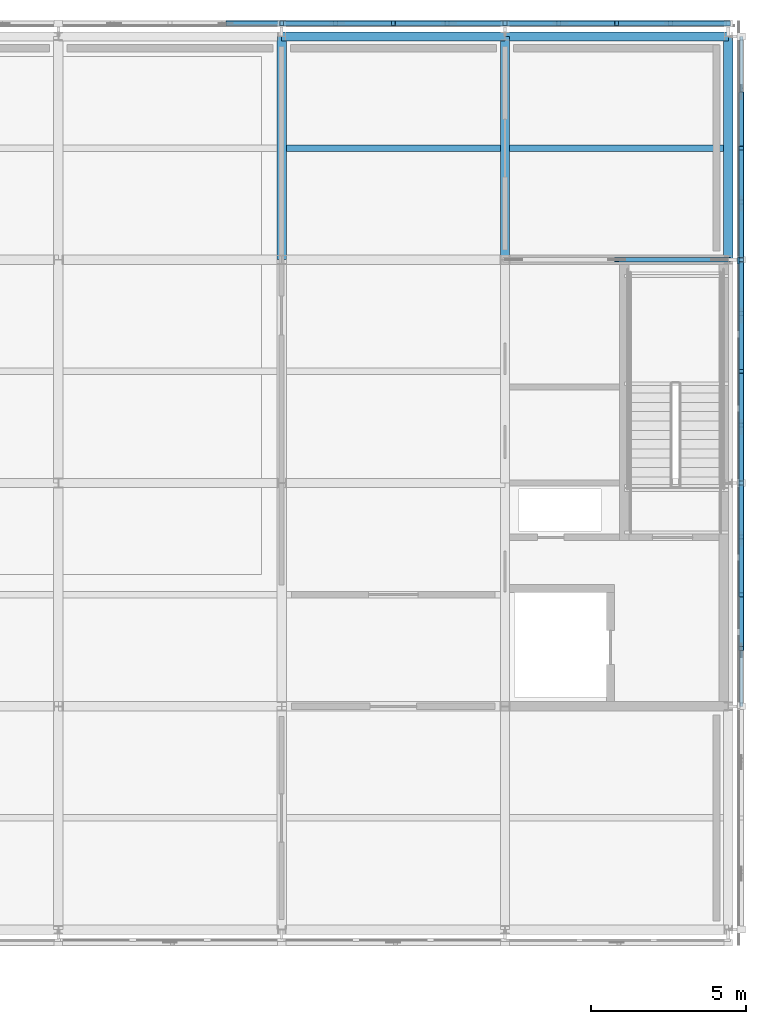
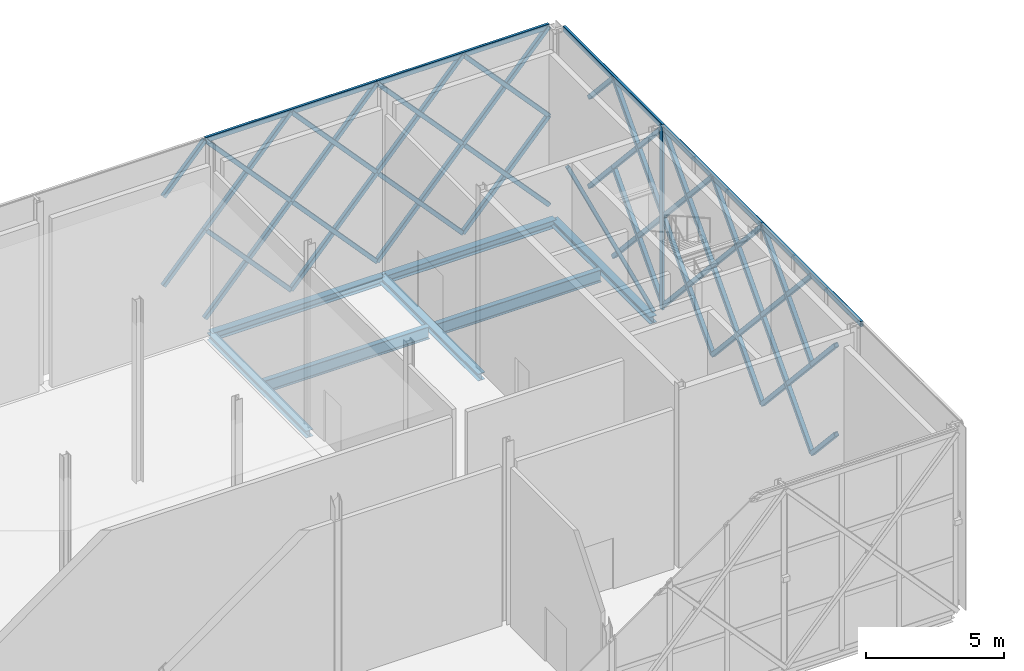
# One storey, part 48 of 76: 61 members, 7 beams, 1 element without a shape of its own.
"""IFC4 building model written with IfcOpenShell, lengths in metres."""

from ifc_helpers import new_model, si_unit, direction, frame, origin, origin_2d, place, context, subcontext, project, spatial, rectangle, hollow_rectangle, i_section, extrude, material, material_profile, profile_set, type_object, element, aggregate, save


model = new_model("IFC4")

# Units and contexts
model_context = context("Model", 3, precision=1e-05, world=origin(), true_north=direction((0.0, 1.0)))
body_context = subcontext(model_context, "Body", "Model", "MODEL_VIEW")
ifc_project = project(units=[si_unit("LENGTHUNIT", "METRE"), si_unit("AREAUNIT", "SQUARE_METRE"), si_unit("VOLUMEUNIT", "CUBIC_METRE"), si_unit("PLANEANGLEUNIT", "RADIAN"), si_unit("MASSUNIT", "GRAM", prefix="KILO")], contexts=[model_context])

# Site, building, storey
site_placement = place(None, origin())
site = spatial("IfcSite", under=ifc_project, at=site_placement, CompositionType="ELEMENT")
building_placement = place(site_placement, origin())
building = spatial("IfcBuilding", under=site, at=building_placement, Name="Zlatovets Crest Museum", CompositionType="ELEMENT")
storey_placement = place(building_placement, frame((0.0, 0.0, 17.10009765625)))
storey = spatial("IfcBuildingStorey", under=building, at=storey_placement, Name="L04", CompositionType="ELEMENT", Elevation=17.10009765625)

# Beams
ifc_material_1 = material(Name="Structural steel S355J2", Category="steel")
ifc_material_profile_1 = material_profile(ifc_material_1, i_section(OverallWidth=0.300048828125, OverallDepth=0.35009765625, WebThickness=0.010009765625, FlangeThickness=0.017578125, FilletRadius=0.027099609375, at=origin_2d()), Name="HEA 360")
ifc_profile_set_1 = profile_set([ifc_material_profile_1], Name="Structural steel S355J2")
beam_type_1 = type_object("IfcBeamType", Name="Beam_B-03", PredefinedType="BEAM", material=ifc_profile_set_1)
for number, where, z_axis, x_axis, name in (
    (1, (93.60009765625, 115.199951171875, -0.4150390625), (1.0, 0.0, 0.0), (0.0, 1.0, 0.0), "V1 L04 Primary Girder B-03"),
    (2, (100.800048828125, 115.199951171875, -0.4150390625), (1.0, 0.0, 0.0), (0.0, 1.0, 0.0), "V1 L04 Primary Girder B-03"),
):
    element("IfcBeam", number, at=place(storey_placement, frame(where, z_axis=z_axis, x_axis=x_axis)), inside=storey, type_object=beam_type_1, Name=name, PredefinedType="BEAM", context=body_context, shape_type="SweptSolid", body=[
        extrude(i_section(OverallWidth=0.300048828125, OverallDepth=0.35009765625, WebThickness=0.010009765625, FlangeThickness=0.017578125, FilletRadius=0.027099609375, at=origin_2d()), origin(), (0.0, 0.0, 1.0), 7.199951171875),
    ])
ifc_material_profile_2 = material_profile(ifc_material_1, i_section(OverallWidth=0.300048828125, OverallDepth=0.31005859375, WebThickness=0.009033203125, FlangeThickness=0.015380859375, FilletRadius=0.027099609375, at=origin_2d()), Name="HEA 320")
ifc_profile_set_2 = profile_set([ifc_material_profile_2], Name="Structural steel S355J2")
beam_type_2 = type_object("IfcBeamType", Name="Beam_B-04", PredefinedType="BEAM", material=ifc_profile_set_2)
for number, where, z_axis, x_axis, name in (
    (3, (93.60009765625, 108.0, -0.39501953125), (0.0, 1.0, 0.0), (-1.0, 0.0, 0.0), "V1 L04 Grid Beam B-04"),
    (4, (100.800048828125, 108.0, -0.39501953125), (0.0, 1.0, 0.0), (-1.0, 0.0, 0.0), "V1 L04 Grid Beam B-04"),
    (5, (108.0, 108.0, -0.39501953125), (0.0, 1.0, 0.0), (-1.0, 0.0, 0.0), "V1 L04 Grid Beam B-04"),
):
    element("IfcBeam", number, at=place(storey_placement, frame(where, z_axis=z_axis, x_axis=x_axis)), inside=storey, type_object=beam_type_2, Name=name, PredefinedType="BEAM", context=body_context, shape_type="SweptSolid", body=[
        extrude(i_section(OverallWidth=0.300048828125, OverallDepth=0.31005859375, WebThickness=0.009033203125, FlangeThickness=0.015380859375, FilletRadius=0.027099609375, at=origin_2d()), origin(), (0.0, 0.0, 1.0), 7.199951171875),
    ])
ifc_material_profile_3 = material_profile(ifc_material_1, i_section(OverallWidth=0.2099609375, OverallDepth=0.550048828125, WebThickness=0.010986328125, FlangeThickness=0.01708984375, FilletRadius=0.02392578125, at=origin_2d()), Name="IPE 550")
ifc_profile_set_3 = profile_set([ifc_material_profile_3], Name="Structural steel S355J2")
beam_type_3 = type_object("IfcBeamType", Name="Beam_J-07", PredefinedType="JOIST", material=ifc_profile_set_3)
beam_1_placement = place(storey_placement, frame((93.75, 111.60009765625, -0.51513671875), z_axis=(1.0, 0.0, 0.0), x_axis=(0.0, 1.0, 0.0)))
element("IfcBeam", 6, at=beam_1_placement, inside=storey, type_object=beam_type_3, Name="V1 L04 Composite Joist J-07", PredefinedType="JOIST", context=body_context, shape_type="SweptSolid", body=[
    extrude(i_section(OverallWidth=0.2099609375, OverallDepth=0.550048828125, WebThickness=0.010986328125, FlangeThickness=0.01708984375, FilletRadius=0.02392578125, at=origin_2d()), origin(), (0.0, 0.0, 1.0), 6.89990234375),
])
beam_2_placement = place(storey_placement, frame((100.949951171875, 111.60009765625, -0.51513671875), z_axis=(1.0, 0.0, 0.0), x_axis=(0.0, 1.0, 0.0)))
element("IfcBeam", 7, at=beam_2_placement, inside=storey, type_object=beam_type_3, Name="V1 L04 Composite Joist J-07", PredefinedType="JOIST", context=body_context, shape_type="SweptSolid", body=[
    extrude(i_section(OverallWidth=0.2099609375, OverallDepth=0.550048828125, WebThickness=0.010986328125, FlangeThickness=0.01708984375, FilletRadius=0.02392578125, at=origin_2d()), origin(), (0.0, 0.0, 1.0), 6.900146484375),
])

# Curtain wall, member
ifc_material_2 = material(Name="Bronze-anodised aluminium and low-E triple glass", Category="aluminium")
curtain_wall_type = type_object("IfcCurtainWallType", Name="CW_CW-V1-L04-M1", PredefinedType="NOTDEFINED", material=ifc_material_2)
curtain_wall_placement = place(storey_placement, origin())
curtain_wall = element("IfcCurtainWall", 8, at=curtain_wall_placement, inside=storey, type_object=curtain_wall_type, Name="V1 L04 Expressed Core Glazed Facade", PredefinedType="NOTDEFINED")
ifc_material_3 = material(Name="Bronze-anodised aluminium EN AW-6060", Category="aluminium")
ifc_material_profile_4 = material_profile(ifc_material_3, rectangle(XDim=0.090087890625, YDim=0.199951171875, at=origin_2d()), Name="ALU 90x200")
ifc_profile_set_4 = profile_set([ifc_material_profile_4], Name="Bronze-anodised aluminium EN AW-6060")
member_type_1 = type_object("IfcMemberType", Name="CWMull_M2", PredefinedType="MULLION", material=ifc_profile_set_4)
member_1_placement = place(storey_placement, frame((108.340087890625, 107.969970703125, 0.0), z_axis=(0.0, 0.0, 1.0), x_axis=(-1.0, 0.0, 0.0)))
member_1 = element("IfcMember", 9, at=member_1_placement, type_object=member_type_1, Name="CW-V1-L04-M1 mullion 4", PredefinedType="MULLION", context=body_context, shape_type="SweptSolid", body=[
    extrude(rectangle(XDim=0.090087890625, YDim=0.199951171875, at=origin_2d()), origin(), (0.0, 0.0, 1.0), 8.099853515625),
])
aggregate(curtain_wall, [member_1])

# Members
ifc_material_4 = material(Name="Weathering bronze-steel S355J2W", Category="steel")
ifc_material_profile_5 = material_profile(ifc_material_4, hollow_rectangle(XDim=0.179931640625, YDim=0.179931640625, WallThickness=0.010009765625, InnerFilletRadius=0.010009765625, OuterFilletRadius=0.02001953125, at=origin_2d()), Name="SHS 180x180x10.0")
ifc_profile_set_5 = profile_set([ifc_material_profile_5], Name="Weathering bronze-steel S355J2W")
member_type_2 = type_object("IfcMemberType", Name="Lattice_XL-01", PredefinedType="BRACE", material=ifc_profile_set_5)
member_2_placement = place(storey_placement, frame((108.419921875, 95.464111328125, 2.004638671875), z_axis=(0.0, 0.673568214247, -0.739125064354), x_axis=(-1.0, 0.0, 0.0)))
element("IfcMember", 10, at=member_2_placement, inside=storey, type_object=member_type_2, Name="Split Crossing Bronze Lattice Diagonal Lower", PredefinedType="BRACE", context=body_context, shape_type="SweptSolid", body=[
    extrude(hollow_rectangle(XDim=0.179931640625, YDim=0.179931640625, WallThickness=0.010009765625, InnerFilletRadius=0.010009765625, OuterFilletRadius=0.02001953125, at=origin_2d()), origin(), (0.0, 0.0, 1.0), 2.5771484375),
])
member_3_placement = place(storey_placement, frame((108.419921875, 97.199951171875, 0.099853515625), z_axis=(0.0, 0.673618118362, 0.739079583411), x_axis=(-1.0, 0.0, 0.0)))
element("IfcMember", 11, at=member_3_placement, inside=storey, type_object=member_type_2, Name="Continuous Bronze Lattice Diagonal", PredefinedType="BRACE", context=body_context, shape_type="SweptSolid", body=[
    extrude(hollow_rectangle(XDim=0.179931640625, YDim=0.179931640625, WallThickness=0.010009765625, InnerFilletRadius=0.010009765625, OuterFilletRadius=0.02001953125, at=origin_2d()), origin(), (0.0, 0.0, 1.0), 5.344482421875),
])
for number, where, z_axis, x_axis, name in (
    (12, (108.419921875, 97.199951171875, 4.0498046875), (0.0, 0.673619963761, -0.739077901457), (-1.0, 0.0, 0.0), "Split Crossing Bronze Lattice Diagonal Upper"),
    (13, (108.419921875, 99.06396484375, 2.004638671875), (0.0, 0.673619963761, -0.739077901457), (-1.0, 0.0, 0.0), "Split Crossing Bronze Lattice Diagonal Lower"),
    (14, (108.419921875, 95.464111328125, 5.95458984375), (0.0, 0.673568214247, -0.739125064354), (-1.0, 0.0, 0.0), "Split Crossing Bronze Lattice Diagonal Lower"),
):
    element("IfcMember", number, at=place(storey_placement, frame(where, z_axis=z_axis, x_axis=x_axis)), inside=storey, type_object=member_type_2, Name=name, PredefinedType="BRACE", context=body_context, shape_type="SweptSolid", body=[
        extrude(hollow_rectangle(XDim=0.179931640625, YDim=0.179931640625, WallThickness=0.010009765625, InnerFilletRadius=0.010009765625, OuterFilletRadius=0.02001953125, at=origin_2d()), origin(), (0.0, 0.0, 1.0), 2.5771484375),
    ])
member_4_placement = place(storey_placement, frame((108.419921875, 97.199951171875, 4.0498046875), z_axis=(0.0, 0.673595375981, 0.739100310822), x_axis=(-1.0, 0.0, 0.0)))
element("IfcMember", 15, at=member_4_placement, inside=storey, type_object=member_type_2, Name="Continuous Bronze Lattice Diagonal", PredefinedType="BRACE", context=body_context, shape_type="SweptSolid", body=[
    extrude(hollow_rectangle(XDim=0.179931640625, YDim=0.179931640625, WallThickness=0.010009765625, InnerFilletRadius=0.010009765625, OuterFilletRadius=0.02001953125, at=origin_2d()), origin(), (0.0, 0.0, 1.0), 5.344482421875),
])
for number, where, z_axis, x_axis, name in (
    (16, (108.419921875, 97.199951171875, 8.0), (0.0, 0.673619963761, -0.739077901457), (-1.0, 0.0, 0.0), "Split Crossing Bronze Lattice Diagonal Upper"),
    (17, (108.419921875, 99.06396484375, 5.95458984375), (0.0, 0.673619963761, -0.739077901457), (-1.0, 0.0, 0.0), "Split Crossing Bronze Lattice Diagonal Lower"),
):
    element("IfcMember", number, at=place(storey_placement, frame(where, z_axis=z_axis, x_axis=x_axis)), inside=storey, type_object=member_type_2, Name=name, PredefinedType="BRACE", context=body_context, shape_type="SweptSolid", body=[
        extrude(hollow_rectangle(XDim=0.179931640625, YDim=0.179931640625, WallThickness=0.010009765625, InnerFilletRadius=0.010009765625, OuterFilletRadius=0.02001953125, at=origin_2d()), origin(), (0.0, 0.0, 1.0), 2.5771484375),
    ])
member_5_placement = place(storey_placement, frame((108.419921875, 100.800048828125, 0.099853515625), z_axis=(0.0, 0.673593164257, 0.739102326519), x_axis=(-1.0, 0.0, 0.0)))
element("IfcMember", 18, at=member_5_placement, inside=storey, type_object=member_type_2, Name="Continuous Bronze Lattice Diagonal", PredefinedType="BRACE", context=body_context, shape_type="SweptSolid", body=[
    extrude(hollow_rectangle(XDim=0.179931640625, YDim=0.179931640625, WallThickness=0.010009765625, InnerFilletRadius=0.010009765625, OuterFilletRadius=0.02001953125, at=origin_2d()), origin(), (0.0, 0.0, 1.0), 5.34423828125),
])
for number, where, z_axis, x_axis, name in (
    (19, (108.419921875, 100.800048828125, 4.0498046875), (0.0, 0.673568214247, -0.739125064354), (-1.0, 0.0, 0.0), "Split Crossing Bronze Lattice Diagonal Upper"),
    (20, (108.419921875, 102.6640625, 2.004638671875), (0.0, 0.673568214247, -0.739125064354), (-1.0, 0.0, 0.0), "Split Crossing Bronze Lattice Diagonal Lower"),
):
    element("IfcMember", number, at=place(storey_placement, frame(where, z_axis=z_axis, x_axis=x_axis)), inside=storey, type_object=member_type_2, Name=name, PredefinedType="BRACE", context=body_context, shape_type="SweptSolid", body=[
        extrude(hollow_rectangle(XDim=0.179931640625, YDim=0.179931640625, WallThickness=0.010009765625, InnerFilletRadius=0.010009765625, OuterFilletRadius=0.02001953125, at=origin_2d()), origin(), (0.0, 0.0, 1.0), 2.5771484375),
    ])
member_6_placement = place(storey_placement, frame((108.419921875, 104.39990234375, 0.099853515625), z_axis=(0.0, 0.673618118362, 0.739079583411), x_axis=(-1.0, 0.0, 0.0)))
element("IfcMember", 21, at=member_6_placement, inside=storey, type_object=member_type_2, Name="Continuous Bronze Lattice Diagonal", PredefinedType="BRACE", context=body_context, shape_type="SweptSolid", body=[
    extrude(hollow_rectangle(XDim=0.179931640625, YDim=0.179931640625, WallThickness=0.010009765625, InnerFilletRadius=0.010009765625, OuterFilletRadius=0.02001953125, at=origin_2d()), origin(), (0.0, 0.0, 1.0), 5.344482421875),
])
for number, where, z_axis, x_axis, name in (
    (22, (108.419921875, 104.39990234375, 4.0498046875), (0.0, 0.673619963761, -0.739077901457), (-1.0, 0.0, 0.0), "Split Crossing Bronze Lattice Diagonal Upper"),
    (23, (108.419921875, 106.263916015625, 2.004638671875), (0.0, 0.673619963761, -0.739077901457), (-1.0, 0.0, 0.0), "Split Crossing Bronze Lattice Diagonal Lower"),
):
    element("IfcMember", number, at=place(storey_placement, frame(where, z_axis=z_axis, x_axis=x_axis)), inside=storey, type_object=member_type_2, Name=name, PredefinedType="BRACE", context=body_context, shape_type="SweptSolid", body=[
        extrude(hollow_rectangle(XDim=0.179931640625, YDim=0.179931640625, WallThickness=0.010009765625, InnerFilletRadius=0.010009765625, OuterFilletRadius=0.02001953125, at=origin_2d()), origin(), (0.0, 0.0, 1.0), 2.5771484375),
    ])
member_7_placement = place(storey_placement, frame((108.419921875, 100.800048828125, 4.0498046875), z_axis=(0.0, 0.67357042132, 0.739123053032), x_axis=(-1.0, 0.0, 0.0)))
element("IfcMember", 24, at=member_7_placement, inside=storey, type_object=member_type_2, Name="Continuous Bronze Lattice Diagonal", PredefinedType="BRACE", context=body_context, shape_type="SweptSolid", body=[
    extrude(hollow_rectangle(XDim=0.179931640625, YDim=0.179931640625, WallThickness=0.010009765625, InnerFilletRadius=0.010009765625, OuterFilletRadius=0.02001953125, at=origin_2d()), origin(), (0.0, 0.0, 1.0), 5.344482421875),
])
for number, where, z_axis, x_axis, name in (
    (25, (108.419921875, 100.800048828125, 8.0), (0.0, 0.673568214247, -0.739125064354), (-1.0, 0.0, 0.0), "Split Crossing Bronze Lattice Diagonal Upper"),
    (26, (108.419921875, 102.6640625, 5.95458984375), (0.0, 0.673568214247, -0.739125064354), (-1.0, 0.0, 0.0), "Split Crossing Bronze Lattice Diagonal Lower"),
):
    element("IfcMember", number, at=place(storey_placement, frame(where, z_axis=z_axis, x_axis=x_axis)), inside=storey, type_object=member_type_2, Name=name, PredefinedType="BRACE", context=body_context, shape_type="SweptSolid", body=[
        extrude(hollow_rectangle(XDim=0.179931640625, YDim=0.179931640625, WallThickness=0.010009765625, InnerFilletRadius=0.010009765625, OuterFilletRadius=0.02001953125, at=origin_2d()), origin(), (0.0, 0.0, 1.0), 2.5771484375),
    ])
member_8_placement = place(storey_placement, frame((108.419921875, 104.39990234375, 4.0498046875), z_axis=(0.0, 0.673595375981, 0.739100310822), x_axis=(-1.0, 0.0, 0.0)))
element("IfcMember", 27, at=member_8_placement, inside=storey, type_object=member_type_2, Name="Continuous Bronze Lattice Diagonal", PredefinedType="BRACE", context=body_context, shape_type="SweptSolid", body=[
    extrude(hollow_rectangle(XDim=0.179931640625, YDim=0.179931640625, WallThickness=0.010009765625, InnerFilletRadius=0.010009765625, OuterFilletRadius=0.02001953125, at=origin_2d()), origin(), (0.0, 0.0, 1.0), 5.344482421875),
])
for number, where, z_axis, x_axis, name in (
    (28, (108.419921875, 104.39990234375, 8.0), (0.0, 0.673619963761, -0.739077901457), (-1.0, 0.0, 0.0), "Split Crossing Bronze Lattice Diagonal Upper"),
    (29, (108.419921875, 106.263916015625, 5.95458984375), (0.0, 0.673619963761, -0.739077901457), (-1.0, 0.0, 0.0), "Split Crossing Bronze Lattice Diagonal Lower"),
):
    element("IfcMember", number, at=place(storey_placement, frame(where, z_axis=z_axis, x_axis=x_axis)), inside=storey, type_object=member_type_2, Name=name, PredefinedType="BRACE", context=body_context, shape_type="SweptSolid", body=[
        extrude(hollow_rectangle(XDim=0.179931640625, YDim=0.179931640625, WallThickness=0.010009765625, InnerFilletRadius=0.010009765625, OuterFilletRadius=0.02001953125, at=origin_2d()), origin(), (0.0, 0.0, 1.0), 2.5771484375),
    ])
member_9_placement = place(storey_placement, frame((108.419921875, 108.0, 0.099853515625), z_axis=(0.0, 0.673618118362, 0.739079583411), x_axis=(-1.0, 0.0, 0.0)))
element("IfcMember", 30, at=member_9_placement, inside=storey, type_object=member_type_2, Name="Continuous Bronze Lattice Diagonal", PredefinedType="BRACE", context=body_context, shape_type="SweptSolid", body=[
    extrude(hollow_rectangle(XDim=0.179931640625, YDim=0.179931640625, WallThickness=0.010009765625, InnerFilletRadius=0.010009765625, OuterFilletRadius=0.02001953125, at=origin_2d()), origin(), (0.0, 0.0, 1.0), 5.344482421875),
])
for number, where, z_axis, x_axis, name in (
    (31, (108.419921875, 108.0, 4.0498046875), (0.0, 0.673619963761, -0.739077901457), (-1.0, 0.0, 0.0), "Split Crossing Bronze Lattice Diagonal Upper"),
    (32, (108.419921875, 109.864013671875, 2.004638671875), (0.0, 0.673619963761, -0.739077901457), (-1.0, 0.0, 0.0), "Split Crossing Bronze Lattice Diagonal Lower"),
    (33, (108.419921875, 111.60009765625, 4.0498046875), (0.0, 0.673568214247, -0.739125064354), (-1.0, 0.0, 0.0), "Split Crossing Bronze Lattice Diagonal Upper"),
):
    element("IfcMember", number, at=place(storey_placement, frame(where, z_axis=z_axis, x_axis=x_axis)), inside=storey, type_object=member_type_2, Name=name, PredefinedType="BRACE", context=body_context, shape_type="SweptSolid", body=[
        extrude(hollow_rectangle(XDim=0.179931640625, YDim=0.179931640625, WallThickness=0.010009765625, InnerFilletRadius=0.010009765625, OuterFilletRadius=0.02001953125, at=origin_2d()), origin(), (0.0, 0.0, 1.0), 2.5771484375),
    ])
member_10_placement = place(storey_placement, frame((108.419921875, 108.0, 4.0498046875), z_axis=(0.0, 0.673595375981, 0.739100310822), x_axis=(-1.0, 0.0, 0.0)))
element("IfcMember", 34, at=member_10_placement, inside=storey, type_object=member_type_2, Name="Continuous Bronze Lattice Diagonal", PredefinedType="BRACE", context=body_context, shape_type="SweptSolid", body=[
    extrude(hollow_rectangle(XDim=0.179931640625, YDim=0.179931640625, WallThickness=0.010009765625, InnerFilletRadius=0.010009765625, OuterFilletRadius=0.02001953125, at=origin_2d()), origin(), (0.0, 0.0, 1.0), 5.344482421875),
])
for number, where, z_axis, x_axis, name in (
    (35, (108.419921875, 108.0, 8.0), (0.0, 0.673619963761, -0.739077901457), (-1.0, 0.0, 0.0), "Split Crossing Bronze Lattice Diagonal Upper"),
    (36, (108.419921875, 109.864013671875, 5.95458984375), (0.0, 0.673619963761, -0.739077901457), (-1.0, 0.0, 0.0), "Split Crossing Bronze Lattice Diagonal Lower"),
    (37, (108.419921875, 111.60009765625, 8.0), (0.0, 0.673568214247, -0.739125064354), (-1.0, 0.0, 0.0), "Split Crossing Bronze Lattice Diagonal Upper"),
):
    element("IfcMember", number, at=place(storey_placement, frame(where, z_axis=z_axis, x_axis=x_axis)), inside=storey, type_object=member_type_2, Name=name, PredefinedType="BRACE", context=body_context, shape_type="SweptSolid", body=[
        extrude(hollow_rectangle(XDim=0.179931640625, YDim=0.179931640625, WallThickness=0.010009765625, InnerFilletRadius=0.010009765625, OuterFilletRadius=0.02001953125, at=origin_2d()), origin(), (0.0, 0.0, 1.0), 2.5771484375),
    ])
member_11_placement = place(storey_placement, frame((108.0, 115.6201171875, 0.099853515625), z_axis=(-0.673618118362, 0.0, 0.739079583411), x_axis=(0.0, -1.0, 0.0)))
element("IfcMember", 38, at=member_11_placement, inside=storey, type_object=member_type_2, Name="Continuous Bronze Lattice Diagonal", PredefinedType="BRACE", context=body_context, shape_type="SweptSolid", body=[
    extrude(hollow_rectangle(XDim=0.179931640625, YDim=0.179931640625, WallThickness=0.010009765625, InnerFilletRadius=0.010009765625, OuterFilletRadius=0.02001953125, at=origin_2d()), origin(), (0.0, 0.0, 1.0), 5.344482421875),
])
for number, where, z_axis, x_axis, name in (
    (39, (108.0, 115.6201171875, 4.0498046875), (-0.673619963761, 0.0, -0.739077901457), (0.0, -1.0, 0.0), "Split Crossing Bronze Lattice Diagonal Upper"),
    (40, (106.135986328125, 115.6201171875, 2.004638671875), (-0.673619963761, 0.0, -0.739077901457), (0.0, -1.0, 0.0), "Split Crossing Bronze Lattice Diagonal Lower"),
):
    element("IfcMember", number, at=place(storey_placement, frame(where, z_axis=z_axis, x_axis=x_axis)), inside=storey, type_object=member_type_2, Name=name, PredefinedType="BRACE", context=body_context, shape_type="SweptSolid", body=[
        extrude(hollow_rectangle(XDim=0.179931640625, YDim=0.179931640625, WallThickness=0.010009765625, InnerFilletRadius=0.010009765625, OuterFilletRadius=0.02001953125, at=origin_2d()), origin(), (0.0, 0.0, 1.0), 2.5771484375),
    ])
member_12_placement = place(storey_placement, frame((104.39990234375, 115.6201171875, 0.099853515625), z_axis=(-0.673593164257, 0.0, 0.739102326519), x_axis=(0.0, -1.0, 0.0)))
element("IfcMember", 41, at=member_12_placement, inside=storey, type_object=member_type_2, Name="Continuous Bronze Lattice Diagonal", PredefinedType="BRACE", context=body_context, shape_type="SweptSolid", body=[
    extrude(hollow_rectangle(XDim=0.179931640625, YDim=0.179931640625, WallThickness=0.010009765625, InnerFilletRadius=0.010009765625, OuterFilletRadius=0.02001953125, at=origin_2d()), origin(), (0.0, 0.0, 1.0), 5.34423828125),
])
for number, where, z_axis, x_axis, name in (
    (42, (104.39990234375, 115.6201171875, 4.0498046875), (-0.673568214247, 0.0, -0.739125064354), (0.0, -1.0, 0.0), "Split Crossing Bronze Lattice Diagonal Upper"),
    (43, (102.535888671875, 115.6201171875, 2.004638671875), (-0.673568214247, 0.0, -0.739125064354), (0.0, -1.0, 0.0), "Split Crossing Bronze Lattice Diagonal Lower"),
):
    element("IfcMember", number, at=place(storey_placement, frame(where, z_axis=z_axis, x_axis=x_axis)), inside=storey, type_object=member_type_2, Name=name, PredefinedType="BRACE", context=body_context, shape_type="SweptSolid", body=[
        extrude(hollow_rectangle(XDim=0.179931640625, YDim=0.179931640625, WallThickness=0.010009765625, InnerFilletRadius=0.010009765625, OuterFilletRadius=0.02001953125, at=origin_2d()), origin(), (0.0, 0.0, 1.0), 2.5771484375),
    ])
member_13_placement = place(storey_placement, frame((108.0, 115.6201171875, 4.0498046875), z_axis=(-0.673595375981, 0.0, 0.739100310822), x_axis=(0.0, -1.0, 0.0)))
element("IfcMember", 44, at=member_13_placement, inside=storey, type_object=member_type_2, Name="Continuous Bronze Lattice Diagonal", PredefinedType="BRACE", context=body_context, shape_type="SweptSolid", body=[
    extrude(hollow_rectangle(XDim=0.179931640625, YDim=0.179931640625, WallThickness=0.010009765625, InnerFilletRadius=0.010009765625, OuterFilletRadius=0.02001953125, at=origin_2d()), origin(), (0.0, 0.0, 1.0), 5.344482421875),
])
for number, where, z_axis, x_axis, name in (
    (45, (108.0, 115.6201171875, 8.0), (-0.673619963761, 0.0, -0.739077901457), (0.0, -1.0, 0.0), "Split Crossing Bronze Lattice Diagonal Upper"),
    (46, (106.135986328125, 115.6201171875, 5.95458984375), (-0.673619963761, 0.0, -0.739077901457), (0.0, -1.0, 0.0), "Split Crossing Bronze Lattice Diagonal Lower"),
):
    element("IfcMember", number, at=place(storey_placement, frame(where, z_axis=z_axis, x_axis=x_axis)), inside=storey, type_object=member_type_2, Name=name, PredefinedType="BRACE", context=body_context, shape_type="SweptSolid", body=[
        extrude(hollow_rectangle(XDim=0.179931640625, YDim=0.179931640625, WallThickness=0.010009765625, InnerFilletRadius=0.010009765625, OuterFilletRadius=0.02001953125, at=origin_2d()), origin(), (0.0, 0.0, 1.0), 2.5771484375),
    ])
member_14_placement = place(storey_placement, frame((104.39990234375, 115.6201171875, 4.0498046875), z_axis=(-0.67357042132, 0.0, 0.739123053032), x_axis=(0.0, -1.0, 0.0)))
element("IfcMember", 47, at=member_14_placement, inside=storey, type_object=member_type_2, Name="Continuous Bronze Lattice Diagonal", PredefinedType="BRACE", context=body_context, shape_type="SweptSolid", body=[
    extrude(hollow_rectangle(XDim=0.179931640625, YDim=0.179931640625, WallThickness=0.010009765625, InnerFilletRadius=0.010009765625, OuterFilletRadius=0.02001953125, at=origin_2d()), origin(), (0.0, 0.0, 1.0), 5.344482421875),
])
for number, where, z_axis, x_axis, name in (
    (48, (104.39990234375, 115.6201171875, 8.0), (-0.673568214247, 0.0, -0.739125064354), (0.0, -1.0, 0.0), "Split Crossing Bronze Lattice Diagonal Upper"),
    (49, (102.535888671875, 115.6201171875, 5.95458984375), (-0.673568214247, 0.0, -0.739125064354), (0.0, -1.0, 0.0), "Split Crossing Bronze Lattice Diagonal Lower"),
):
    element("IfcMember", number, at=place(storey_placement, frame(where, z_axis=z_axis, x_axis=x_axis)), inside=storey, type_object=member_type_2, Name=name, PredefinedType="BRACE", context=body_context, shape_type="SweptSolid", body=[
        extrude(hollow_rectangle(XDim=0.179931640625, YDim=0.179931640625, WallThickness=0.010009765625, InnerFilletRadius=0.010009765625, OuterFilletRadius=0.02001953125, at=origin_2d()), origin(), (0.0, 0.0, 1.0), 2.5771484375),
    ])
member_15_placement = place(storey_placement, frame((100.800048828125, 115.6201171875, 0.099853515625), z_axis=(-0.673618118362, 0.0, 0.739079583411), x_axis=(0.0, -1.0, 0.0)))
element("IfcMember", 50, at=member_15_placement, inside=storey, type_object=member_type_2, Name="Continuous Bronze Lattice Diagonal", PredefinedType="BRACE", context=body_context, shape_type="SweptSolid", body=[
    extrude(hollow_rectangle(XDim=0.179931640625, YDim=0.179931640625, WallThickness=0.010009765625, InnerFilletRadius=0.010009765625, OuterFilletRadius=0.02001953125, at=origin_2d()), origin(), (0.0, 0.0, 1.0), 5.344482421875),
])
for number, where, z_axis, x_axis, name in (
    (51, (100.800048828125, 115.6201171875, 4.0498046875), (-0.673619963761, 0.0, -0.739077901457), (0.0, -1.0, 0.0), "Split Crossing Bronze Lattice Diagonal Upper"),
    (52, (98.93603515625, 115.6201171875, 2.004638671875), (-0.673619963761, 0.0, -0.739077901457), (0.0, -1.0, 0.0), "Split Crossing Bronze Lattice Diagonal Lower"),
):
    element("IfcMember", number, at=place(storey_placement, frame(where, z_axis=z_axis, x_axis=x_axis)), inside=storey, type_object=member_type_2, Name=name, PredefinedType="BRACE", context=body_context, shape_type="SweptSolid", body=[
        extrude(hollow_rectangle(XDim=0.179931640625, YDim=0.179931640625, WallThickness=0.010009765625, InnerFilletRadius=0.010009765625, OuterFilletRadius=0.02001953125, at=origin_2d()), origin(), (0.0, 0.0, 1.0), 2.5771484375),
    ])
member_16_placement = place(storey_placement, frame((97.199951171875, 115.6201171875, 0.099853515625), z_axis=(-0.673593164257, 0.0, 0.739102326519), x_axis=(0.0, -1.0, 0.0)))
element("IfcMember", 53, at=member_16_placement, inside=storey, type_object=member_type_2, Name="Continuous Bronze Lattice Diagonal", PredefinedType="BRACE", context=body_context, shape_type="SweptSolid", body=[
    extrude(hollow_rectangle(XDim=0.179931640625, YDim=0.179931640625, WallThickness=0.010009765625, InnerFilletRadius=0.010009765625, OuterFilletRadius=0.02001953125, at=origin_2d()), origin(), (0.0, 0.0, 1.0), 5.34423828125),
])
for number, where, z_axis, x_axis, name in (
    (54, (97.199951171875, 115.6201171875, 4.0498046875), (-0.673568214247, 0.0, -0.739125064354), (0.0, -1.0, 0.0), "Split Crossing Bronze Lattice Diagonal Upper"),
    (55, (95.3359375, 115.6201171875, 2.004638671875), (-0.673568214247, 0.0, -0.739125064354), (0.0, -1.0, 0.0), "Split Crossing Bronze Lattice Diagonal Lower"),
):
    element("IfcMember", number, at=place(storey_placement, frame(where, z_axis=z_axis, x_axis=x_axis)), inside=storey, type_object=member_type_2, Name=name, PredefinedType="BRACE", context=body_context, shape_type="SweptSolid", body=[
        extrude(hollow_rectangle(XDim=0.179931640625, YDim=0.179931640625, WallThickness=0.010009765625, InnerFilletRadius=0.010009765625, OuterFilletRadius=0.02001953125, at=origin_2d()), origin(), (0.0, 0.0, 1.0), 2.5771484375),
    ])
member_17_placement = place(storey_placement, frame((100.800048828125, 115.6201171875, 4.0498046875), z_axis=(-0.673595375981, 0.0, 0.739100310822), x_axis=(0.0, -1.0, 0.0)))
element("IfcMember", 56, at=member_17_placement, inside=storey, type_object=member_type_2, Name="Continuous Bronze Lattice Diagonal", PredefinedType="BRACE", context=body_context, shape_type="SweptSolid", body=[
    extrude(hollow_rectangle(XDim=0.179931640625, YDim=0.179931640625, WallThickness=0.010009765625, InnerFilletRadius=0.010009765625, OuterFilletRadius=0.02001953125, at=origin_2d()), origin(), (0.0, 0.0, 1.0), 5.344482421875),
])
for number, where, z_axis, x_axis, name in (
    (57, (100.800048828125, 115.6201171875, 8.0), (-0.673619963761, 0.0, -0.739077901457), (0.0, -1.0, 0.0), "Split Crossing Bronze Lattice Diagonal Upper"),
    (58, (98.93603515625, 115.6201171875, 5.95458984375), (-0.673619963761, 0.0, -0.739077901457), (0.0, -1.0, 0.0), "Split Crossing Bronze Lattice Diagonal Lower"),
):
    element("IfcMember", number, at=place(storey_placement, frame(where, z_axis=z_axis, x_axis=x_axis)), inside=storey, type_object=member_type_2, Name=name, PredefinedType="BRACE", context=body_context, shape_type="SweptSolid", body=[
        extrude(hollow_rectangle(XDim=0.179931640625, YDim=0.179931640625, WallThickness=0.010009765625, InnerFilletRadius=0.010009765625, OuterFilletRadius=0.02001953125, at=origin_2d()), origin(), (0.0, 0.0, 1.0), 2.5771484375),
    ])
member_18_placement = place(storey_placement, frame((97.199951171875, 115.6201171875, 4.0498046875), z_axis=(-0.67357042132, 0.0, 0.739123053032), x_axis=(0.0, -1.0, 0.0)))
element("IfcMember", 59, at=member_18_placement, inside=storey, type_object=member_type_2, Name="Continuous Bronze Lattice Diagonal", PredefinedType="BRACE", context=body_context, shape_type="SweptSolid", body=[
    extrude(hollow_rectangle(XDim=0.179931640625, YDim=0.179931640625, WallThickness=0.010009765625, InnerFilletRadius=0.010009765625, OuterFilletRadius=0.02001953125, at=origin_2d()), origin(), (0.0, 0.0, 1.0), 5.344482421875),
])
for number, where, z_axis, x_axis, name in (
    (60, (97.199951171875, 115.6201171875, 8.0), (-0.673568214247, 0.0, -0.739125064354), (0.0, -1.0, 0.0), "Split Crossing Bronze Lattice Diagonal Upper"),
    (61, (95.3359375, 115.6201171875, 5.95458984375), (-0.673568214247, 0.0, -0.739125064354), (0.0, -1.0, 0.0), "Split Crossing Bronze Lattice Diagonal Lower"),
    (62, (93.60009765625, 115.6201171875, 4.0498046875), (-0.673619963761, 0.0, -0.739077901457), (0.0, -1.0, 0.0), "Split Crossing Bronze Lattice Diagonal Upper"),
    (63, (93.60009765625, 115.6201171875, 8.0), (-0.673619963761, 0.0, -0.739077901457), (0.0, -1.0, 0.0), "Split Crossing Bronze Lattice Diagonal Upper"),
):
    element("IfcMember", number, at=place(storey_placement, frame(where, z_axis=z_axis, x_axis=x_axis)), inside=storey, type_object=member_type_2, Name=name, PredefinedType="BRACE", context=body_context, shape_type="SweptSolid", body=[
        extrude(hollow_rectangle(XDim=0.179931640625, YDim=0.179931640625, WallThickness=0.010009765625, InnerFilletRadius=0.010009765625, OuterFilletRadius=0.02001953125, at=origin_2d()), origin(), (0.0, 0.0, 1.0), 2.5771484375),
    ])
ifc_material_profile_6 = material_profile(ifc_material_4, hollow_rectangle(XDim=0.1201171875, YDim=0.239990234375, WallThickness=0.010009765625, InnerFilletRadius=0.010009765625, OuterFilletRadius=0.02001953125, at=origin_2d()), Name="RHS 120x240x10.0")
ifc_profile_set_6 = profile_set([ifc_material_profile_6], Name="Weathering bronze-steel S355J2W")
member_type_3 = type_object("IfcMemberType", Name="Lattice_XL-04", PredefinedType="CHORD", material=ifc_profile_set_6)
for number, where, z_axis, x_axis, name in (
    (64, (108.419921875, 93.60009765625, 8.0), (0.0, 1.0, 0.0), (-1.0, 0.0, 0.0), "Art Nouveau Woven Cage Collector Ring Chord"),
    (65, (108.419921875, 100.800048828125, 8.0), (0.0, 1.0, 0.0), (-1.0, 0.0, 0.0), "Art Nouveau Woven Cage Collector Ring Chord"),
    (66, (108.419921875, 108.0, 8.0), (0.0, 1.0, 0.0), (-1.0, 0.0, 0.0), "Art Nouveau Woven Cage Collector Ring Chord"),
    (67, (108.0, 115.6201171875, 8.0), (-1.0, 0.0, 0.0), (0.0, -1.0, 0.0), "Art Nouveau Woven Cage Collector Ring Chord"),
    (68, (100.800048828125, 115.6201171875, 8.0), (-1.0, 0.0, 0.0), (0.0, -1.0, 0.0), "Art Nouveau Woven Cage Collector Ring Chord"),
):
    element("IfcMember", number, at=place(storey_placement, frame(where, z_axis=z_axis, x_axis=x_axis)), inside=storey, type_object=member_type_3, Name=name, PredefinedType="CHORD", context=body_context, shape_type="SweptSolid", body=[
        extrude(hollow_rectangle(XDim=0.1201171875, YDim=0.239990234375, WallThickness=0.010009765625, InnerFilletRadius=0.010009765625, OuterFilletRadius=0.02001953125, at=origin_2d()), origin(), (0.0, 0.0, 1.0), 7.199951171875),
    ])
ifc_material_profile_7 = material_profile(ifc_material_1, hollow_rectangle(XDim=0.14990234375, YDim=0.14990234375, WallThickness=0.008056640625, InnerFilletRadius=0.008056640625, OuterFilletRadius=0.01611328125, at=origin_2d()), Name="SHS 150x150x8.0")
ifc_profile_set_7 = profile_set([ifc_material_profile_7], Name="Structural steel S355J2")
member_type_4 = type_object("IfcMemberType", Name="Member_BR-04", PredefinedType="BRACE", material=ifc_profile_set_7)
member_19_placement = place(storey_placement, frame((108.0, 108.0, 0.0), z_axis=(-0.425810942746, 0.0, 0.904812157874), x_axis=(0.0, -1.0, 0.0)))
element("IfcMember", 69, at=member_19_placement, inside=storey, type_object=member_type_4, Name="V1 L04 Concentric Seismic Brace", PredefinedType="BRACE", context=body_context, shape_type="SweptSolid", body=[
    extrude(hollow_rectangle(XDim=0.14990234375, YDim=0.14990234375, WallThickness=0.008056640625, InnerFilletRadius=0.008056640625, OuterFilletRadius=0.01611328125, at=origin_2d()), origin(), (0.0, 0.0, 1.0), 8.45458984375),
])

save(model, "model.ifc")
